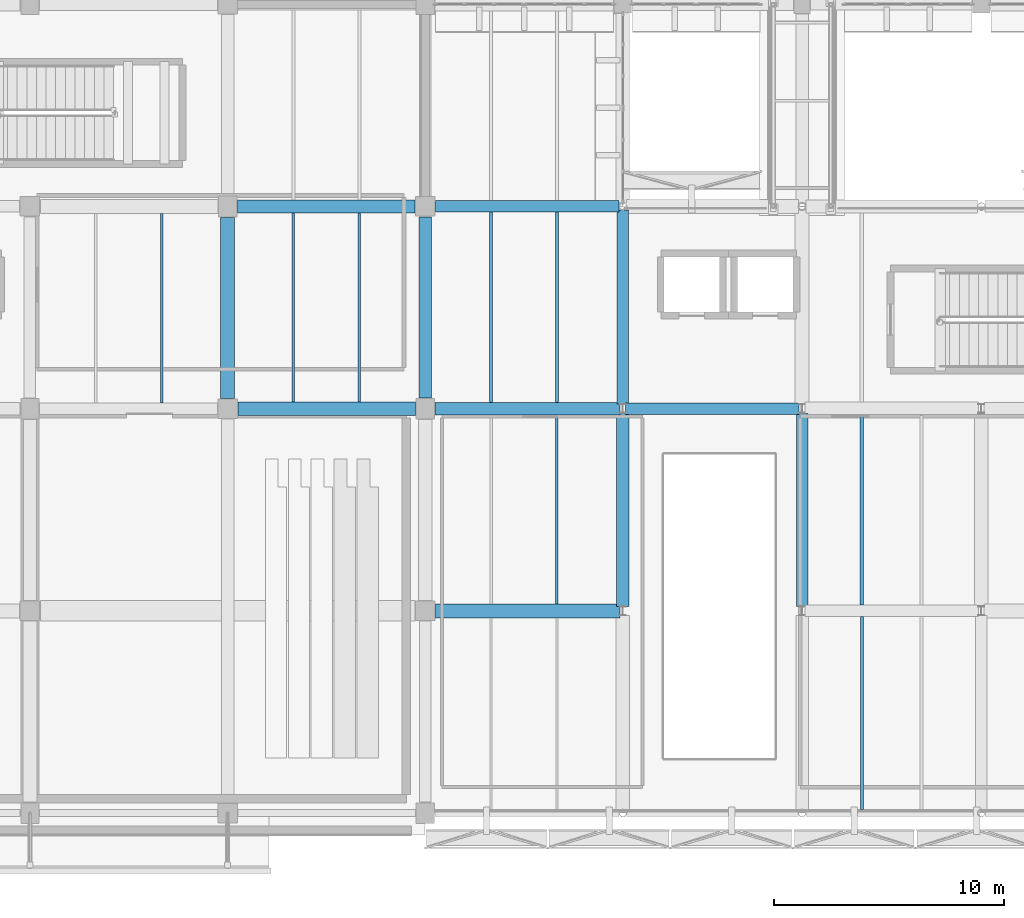
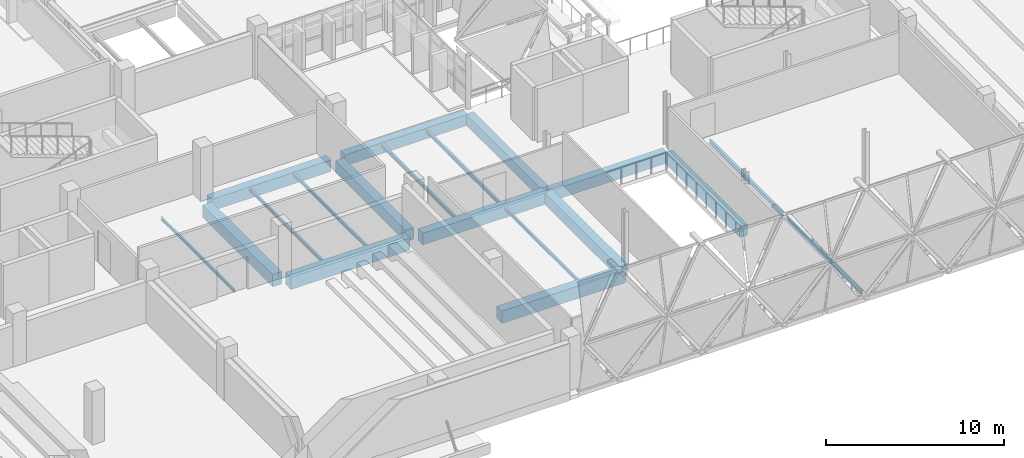
# One storey, part 9 of 80: 19 beams.
"""IFC4 building model written with IfcOpenShell, lengths in metres."""

from ifc_helpers import new_model, si_unit, direction, frame, origin, origin_2d, place, context, subcontext, project, spatial, rectangle, i_section, extrude, material, material_profile, profile_set, type_object, element, save


model = new_model("IFC4")

# Units and contexts
model_context = context("Model", 3, precision=1e-05, world=origin(), true_north=direction((0.0, 1.0)))
body_context = subcontext(model_context, "Body", "Model", "MODEL_VIEW")
ifc_project = project(units=[si_unit("LENGTHUNIT", "METRE"), si_unit("AREAUNIT", "SQUARE_METRE"), si_unit("VOLUMEUNIT", "CUBIC_METRE"), si_unit("PLANEANGLEUNIT", "RADIAN"), si_unit("MASSUNIT", "GRAM", prefix="KILO")], contexts=[model_context])

# Site, building, storey
site_placement = place(None, origin())
site = spatial("IfcSite", under=ifc_project, at=site_placement, CompositionType="ELEMENT")
building_placement = place(site_placement, origin())
building = spatial("IfcBuilding", under=site, at=building_placement, Name="Varnakota Cinema and Media Centre", CompositionType="ELEMENT")
storey_placement = place(building_placement, frame((0.0, 0.0, 4.5)))
storey = spatial("IfcBuildingStorey", under=building, at=storey_placement, Name="L01", CompositionType="ELEMENT", Elevation=4.5)

# Beams
ifc_material_1 = material(Name="Concrete M35", Category="concrete")
ifc_material_profile_1 = material_profile(ifc_material_1, rectangle(XDim=0.5, YDim=0.75, at=origin_2d()), Name="RCB 500x750")
ifc_profile_set_1 = profile_set([ifc_material_profile_1], Name="Concrete M35")
beam_type_1 = type_object("IfcBeamType", Name="BM-RC-500x750", PredefinedType="BEAM", material=ifc_profile_set_1)
beam_1_placement = place(storey_placement, frame((51.72509765625, 17.60009765625, -0.625), z_axis=(1.0, 0.0, 0.0), x_axis=(0.0, 1.0, 0.0)))
element("IfcBeam", 1, at=beam_1_placement, inside=storey, type_object=beam_type_1, Name="L01 girder G-H/3", PredefinedType="BEAM", context=body_context, shape_type="SweptSolid", body=[
    extrude(rectangle(XDim=0.5, YDim=0.75, at=origin_2d()), origin(), (0.0, 0.0, 1.0), 7.5498046875),
])
beam_2_placement = place(storey_placement, frame((43.449951171875, 26.39990234375, -0.625), z_axis=(1.0, 0.0, 0.0), x_axis=(0.0, 1.0, 0.0)))
element("IfcBeam", 2, at=beam_2_placement, inside=storey, type_object=beam_type_1, Name="L01 girder F-G/4", PredefinedType="BEAM", context=body_context, shape_type="SweptSolid", body=[
    extrude(rectangle(XDim=0.5, YDim=0.75, at=origin_2d()), origin(), (0.0, 0.0, 1.0), 7.988037109375),
])
beam_3_placement = place(storey_placement, frame((51.60009765625, 17.800048828125, -0.625), z_axis=(0.0, 1.0, 0.0), x_axis=(-1.0, 0.0, 0.0)))
element("IfcBeam", 3, at=beam_3_placement, inside=storey, type_object=beam_type_1, Name="L01 girder G/3-4", PredefinedType="BEAM", context=body_context, shape_type="SweptSolid", body=[
    extrude(rectangle(XDim=0.5, YDim=0.75, at=origin_2d()), origin(), (0.0, 0.0, 1.0), 8.43798828125),
])
beam_4_placement = place(storey_placement, frame((59.39990234375, 9.0, -0.625), z_axis=(0.0, 1.0, 0.0), x_axis=(-1.0, 0.0, 0.0)))
element("IfcBeam", 4, at=beam_4_placement, inside=storey, type_object=beam_type_1, Name="L01 girder H/2-3", PredefinedType="BEAM", context=body_context, shape_type="SweptSolid", body=[
    extrude(rectangle(XDim=0.5, YDim=0.75, at=origin_2d()), origin(), (0.0, 0.0, 1.0), 8.39990234375),
])
ifc_material_2 = material(Name="Concrete M35", Category="concrete")
ifc_material_profile_2 = material_profile(ifc_material_2, rectangle(XDim=0.550048828125, YDim=0.800048828125, at=origin_2d()), Name="RCB 550x800")
ifc_profile_set_2 = profile_set([ifc_material_profile_2], Name="Concrete M35")
beam_type_2 = type_object("IfcBeamType", Name="BM-RC-550x800", PredefinedType="BEAM", material=ifc_profile_set_2)
beam_5_placement = place(storey_placement, frame((43.425048828125, 17.60009765625, -0.64990234375), z_axis=(1.0, 0.0, 0.0), x_axis=(0.0, 1.0, 0.0)))
element("IfcBeam", 5, at=beam_5_placement, inside=storey, type_object=beam_type_2, Name="L01 girder F-G/3", PredefinedType="BEAM", context=body_context, shape_type="SweptSolid", body=[
    extrude(rectangle(XDim=0.550048828125, YDim=0.800048828125, at=origin_2d()), origin(), (0.0, 0.0, 1.0), 8.050048828125),
])
beam_6_placement = place(storey_placement, frame((34.824951171875, 26.39990234375, -0.64990234375), z_axis=(1.0, 0.0, 0.0), x_axis=(0.0, 1.0, 0.0)))
element("IfcBeam", 6, at=beam_6_placement, inside=storey, type_object=beam_type_2, Name="L01 girder E-F/4", PredefinedType="BEAM", context=body_context, shape_type="SweptSolid", body=[
    extrude(rectangle(XDim=0.550048828125, YDim=0.800048828125, at=origin_2d()), origin(), (0.0, 0.0, 1.0), 7.72509765625),
])
beam_7_placement = place(storey_placement, frame((43.0, 18.074951171875, -0.64990234375), z_axis=(0.0, 1.0, 0.0), x_axis=(-1.0, 0.0, 0.0)))
element("IfcBeam", 7, at=beam_7_placement, inside=storey, type_object=beam_type_2, Name="L01 girder F/3-4", PredefinedType="BEAM", context=body_context, shape_type="SweptSolid", body=[
    extrude(rectangle(XDim=0.550048828125, YDim=0.800048828125, at=origin_2d()), origin(), (0.0, 0.0, 1.0), 7.875),
])
beam_8_placement = place(storey_placement, frame((51.60009765625, 9.0, -0.64990234375), z_axis=(0.0, 1.0, 0.0), x_axis=(-1.0, 0.0, 0.0)))
element("IfcBeam", 8, at=beam_8_placement, inside=storey, type_object=beam_type_2, Name="L01 girder G/2-3", PredefinedType="BEAM", context=body_context, shape_type="SweptSolid", body=[
    extrude(rectangle(XDim=0.550048828125, YDim=0.800048828125, at=origin_2d()), origin(), (0.0, 0.0, 1.0), 8.39990234375),
])
ifc_material_3 = material(Name="Concrete M35", Category="concrete")
ifc_material_profile_3 = material_profile(ifc_material_3, rectangle(XDim=0.60009765625, YDim=0.85009765625, at=origin_2d()), Name="RCB 600x850")
ifc_profile_set_3 = profile_set([ifc_material_profile_3], Name="Concrete M35")
beam_type_3 = type_object("IfcBeamType", Name="BM-RC-600x850", PredefinedType="BEAM", material=ifc_profile_set_3)
beam_9_placement = place(storey_placement, frame((43.449951171875, 8.800048828125, -0.675048828125), z_axis=(1.0, 0.0, 0.0), x_axis=(0.0, 1.0, 0.0)))
element("IfcBeam", 9, at=beam_9_placement, inside=storey, type_object=beam_type_3, Name="L01 girder F-G/2", PredefinedType="BEAM", context=body_context, shape_type="SweptSolid", body=[
    extrude(rectangle(XDim=0.60009765625, YDim=0.85009765625, at=origin_2d()), origin(), (0.0, 0.0, 1.0), 8.025146484375),
])
beam_10_placement = place(storey_placement, frame((34.85009765625, 17.60009765625, -0.675048828125), z_axis=(1.0, 0.0, 0.0), x_axis=(0.0, 1.0, 0.0)))
element("IfcBeam", 10, at=beam_10_placement, inside=storey, type_object=beam_type_3, Name="L01 girder E-F/3", PredefinedType="BEAM", context=body_context, shape_type="SweptSolid", body=[
    extrude(rectangle(XDim=0.60009765625, YDim=0.85009765625, at=origin_2d()), origin(), (0.0, 0.0, 1.0), 7.724853515625),
])
beam_11_placement = place(storey_placement, frame((34.39990234375, 18.050048828125, -0.675048828125), z_axis=(0.0, 1.0, 0.0), x_axis=(-1.0, 0.0, 0.0)))
element("IfcBeam", 11, at=beam_11_placement, inside=storey, type_object=beam_type_3, Name="L01 girder E/3-4", PredefinedType="BEAM", context=body_context, shape_type="SweptSolid", body=[
    extrude(rectangle(XDim=0.60009765625, YDim=0.85009765625, at=origin_2d()), origin(), (0.0, 0.0, 1.0), 7.875),
])
ifc_material_4 = material(Name="Structural steel Grade 350 (E350)", Category="steel")
ifc_material_profile_4 = material_profile(ifc_material_4, i_section(OverallWidth=0.10009765625, OverallDepth=0.199951171875, WebThickness=0.005615234375, FlangeThickness=0.0107421875, FilletRadius=0.010986328125, at=origin_2d()), Name="ISMB 200")
ifc_profile_set_4 = profile_set([ifc_material_profile_4], Name="Structural steel Grade 350 (E350)")
beam_type_4 = type_object("IfcBeamType", Name="BM-ST-ISMB200", PredefinedType="JOIST", material=ifc_profile_set_4)
beam_12_placement = place(storey_placement, frame((31.533203125, 17.85009765625, -0.35009765625), z_axis=(0.0, 1.0, 0.0), x_axis=(-1.0, 0.0, 0.0)))
element("IfcBeam", 12, at=beam_12_placement, inside=storey, type_object=beam_type_4, Name="L01 steel joist D-E/3-4 #2", PredefinedType="JOIST", context=body_context, shape_type="SweptSolid", body=[
    extrude(i_section(OverallWidth=0.10009765625, OverallDepth=0.199951171875, WebThickness=0.005615234375, FlangeThickness=0.0107421875, FilletRadius=0.010986328125, at=origin_2d()), origin(), (0.0, 0.0, 1.0), 8.25),
])
ifc_material_5 = material(Name="Structural steel Grade 350 (E350)", Category="steel")
ifc_material_profile_5 = material_profile(ifc_material_5, i_section(OverallWidth=0.110107421875, OverallDepth=0.22509765625, WebThickness=0.006591796875, FlangeThickness=0.01171875, FilletRadius=0.011962890625, at=origin_2d()), Name="ISMB 225")
ifc_profile_set_5 = profile_set([ifc_material_profile_5], Name="Structural steel Grade 350 (E350)")
beam_type_5 = type_object("IfcBeamType", Name="BM-ST-ISMB225", PredefinedType="JOIST", material=ifc_profile_set_5)
for number, where, z_axis, x_axis, name in (
    (13, (37.2666015625, 17.89990234375, -0.362548828125), (0.0, 1.0, 0.0), (-1.0, 0.0, 0.0), "L01 steel joist E-F/3-4 #1"),
    (14, (40.13330078125, 17.89990234375, -0.362548828125), (0.0, 1.0, 0.0), (-1.0, 0.0, 0.0), "L01 steel joist E-F/3-4 #2"),
):
    element("IfcBeam", number, at=place(storey_placement, frame(where, z_axis=z_axis, x_axis=x_axis)), inside=storey, type_object=beam_type_5, Name=name, PredefinedType="JOIST", context=body_context, shape_type="SweptSolid", body=[
        extrude(i_section(OverallWidth=0.110107421875, OverallDepth=0.22509765625, WebThickness=0.006591796875, FlangeThickness=0.01171875, FilletRadius=0.011962890625, at=origin_2d()), origin(), (0.0, 0.0, 1.0), 8.22509765625),
    ])
beam_13_placement = place(storey_placement, frame((48.7333984375, 9.10009765625, -0.362548828125), z_axis=(0.0, 1.0, 0.0), x_axis=(-1.0, 0.0, 0.0)))
element("IfcBeam", 15, at=beam_13_placement, inside=storey, type_object=beam_type_5, Name="L01 steel joist F-G/2-3 #2", PredefinedType="JOIST", context=body_context, shape_type="SweptSolid", body=[
    extrude(i_section(OverallWidth=0.110107421875, OverallDepth=0.22509765625, WebThickness=0.006591796875, FlangeThickness=0.01171875, FilletRadius=0.011962890625, at=origin_2d()), origin(), (0.0, 0.0, 1.0), 8.224853515625),
])
ifc_material_6 = material(Name="Structural steel Grade 350 (E350)", Category="steel")
ifc_material_profile_6 = material_profile(ifc_material_6, i_section(OverallWidth=0.125, OverallDepth=0.25, WebThickness=0.0068359375, FlangeThickness=0.012451171875, FilletRadius=0.012939453125, at=origin_2d()), Name="ISMB 250")
ifc_profile_set_6 = profile_set([ifc_material_profile_6], Name="Structural steel Grade 350 (E350)")
beam_type_6 = type_object("IfcBeamType", Name="BM-ST-ISMB250", PredefinedType="JOIST", material=ifc_profile_set_6)
for number, where, z_axis, x_axis, name in (
    (16, (45.86669921875, 17.875, -0.375), (0.0, 1.0, 0.0), (-1.0, 0.0, 0.0), "L01 steel joist F-G/3-4 #1"),
    (17, (48.7333984375, 17.875, -0.375), (0.0, 1.0, 0.0), (-1.0, 0.0, 0.0), "L01 steel joist F-G/3-4 #2"),
):
    element("IfcBeam", number, at=place(storey_placement, frame(where, z_axis=z_axis, x_axis=x_axis)), inside=storey, type_object=beam_type_6, Name=name, PredefinedType="JOIST", context=body_context, shape_type="SweptSolid", body=[
        extrude(i_section(OverallWidth=0.125, OverallDepth=0.25, WebThickness=0.0068359375, FlangeThickness=0.012451171875, FilletRadius=0.012939453125, at=origin_2d()), origin(), (0.0, 0.0, 1.0), 8.27490234375),
    ])
beam_14_placement = place(storey_placement, frame((62.0, 0.14990234375, -0.375), z_axis=(0.0, 1.0, 0.0), x_axis=(-1.0, 0.0, 0.0)))
element("IfcBeam", 18, at=beam_14_placement, inside=storey, type_object=beam_type_6, Name="L01 steel joist H-J/1-2 #1", PredefinedType="JOIST", context=body_context, shape_type="SweptSolid", body=[
    extrude(i_section(OverallWidth=0.125, OverallDepth=0.25, WebThickness=0.0068359375, FlangeThickness=0.012451171875, FilletRadius=0.012939453125, at=origin_2d()), origin(), (0.0, 0.0, 1.0), 8.400146484375),
])
ifc_material_7 = material(Name="Structural steel Grade 350 (E350)", Category="steel")
ifc_material_profile_7 = material_profile(ifc_material_7, i_section(OverallWidth=0.139892578125, OverallDepth=0.300048828125, WebThickness=0.0078125, FlangeThickness=0.01318359375, FilletRadius=0.013916015625, at=origin_2d()), Name="ISMB 300")
ifc_profile_set_7 = profile_set([ifc_material_profile_7], Name="Structural steel Grade 350 (E350)")
beam_type_7 = type_object("IfcBeamType", Name="BM-ST-ISMB300", PredefinedType="JOIST", material=ifc_profile_set_7)
beam_15_placement = place(storey_placement, frame((62.0, 9.050048828125, -0.39990234375), z_axis=(0.0, 1.0, 0.0), x_axis=(-1.0, 0.0, 0.0)))
element("IfcBeam", 19, at=beam_15_placement, inside=storey, type_object=beam_type_7, Name="L01 steel joist H-J/2-3 #1", PredefinedType="JOIST", context=body_context, shape_type="SweptSolid", body=[
    extrude(i_section(OverallWidth=0.139892578125, OverallDepth=0.300048828125, WebThickness=0.0078125, FlangeThickness=0.01318359375, FilletRadius=0.013916015625, at=origin_2d()), origin(), (0.0, 0.0, 1.0), 8.25),
])

save(model, "model.ifc")
